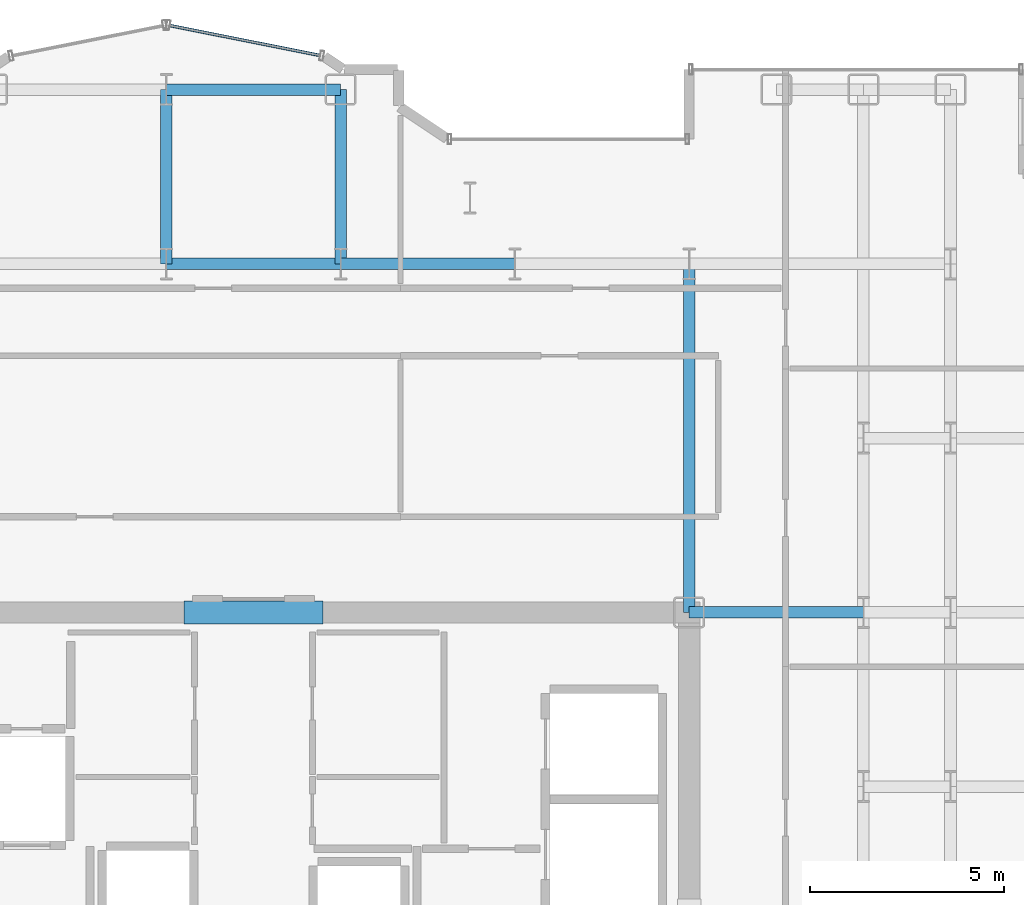
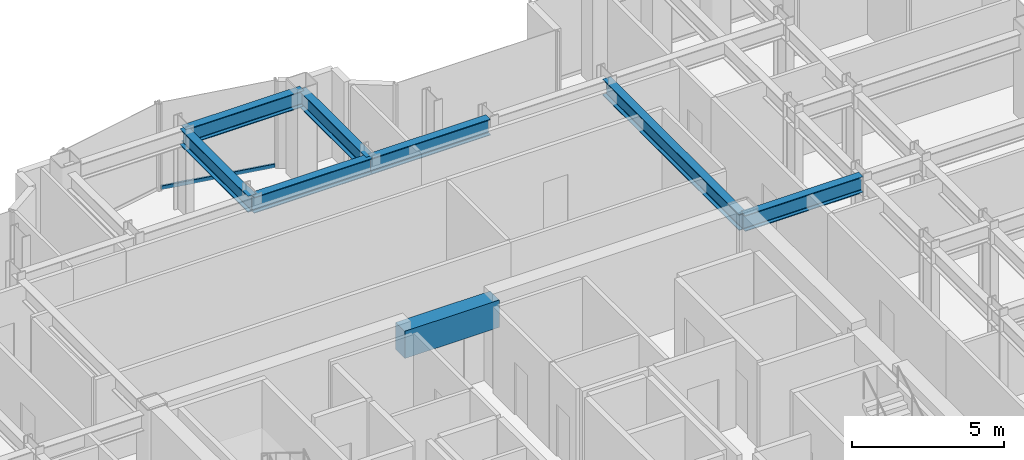
# One storey, part 12 of 23: 8 beams, 1 member, 1 element without a shape of its own.
"""IFC4 building model written with IfcOpenShell, lengths in metres."""

from ifc_helpers import new_model, si_unit, direction, frame, origin, origin_2d, place, context, subcontext, project, spatial, rectangle, hollow_rectangle, i_section, extrude, source, transform, mapped, material, layer, layer_set, material_profile, profile_set, type_object, element, aggregate, save


model = new_model("IFC4")

# Units and contexts
model_context = context("Model", 3, precision=1e-05, world=origin(), true_north=direction((0.0, 1.0)))
body_context = subcontext(model_context, "Body", "Model", "MODEL_VIEW")
ifc_project = project(units=[si_unit("LENGTHUNIT", "METRE"), si_unit("AREAUNIT", "SQUARE_METRE"), si_unit("VOLUMEUNIT", "CUBIC_METRE"), si_unit("PLANEANGLEUNIT", "RADIAN"), si_unit("MASSUNIT", "GRAM", prefix="KILO")], contexts=[model_context])

# Site, building, storey
site_placement = place(None, origin())
site = spatial("IfcSite", under=ifc_project, at=site_placement, CompositionType="ELEMENT")
building_placement = place(site_placement, origin())
building = spatial("IfcBuilding", under=site, at=building_placement, Name="Nefas-Gora Pilgrimage Tower", CompositionType="ELEMENT")
storey_placement = place(building_placement, frame((0.0, 0.0, 198.199951171875)))
storey = spatial("IfcBuildingStorey", under=building, at=storey_placement, Name="L49", CompositionType="ELEMENT", Elevation=198.199951171875)

# Beams
ifc_material_1 = material(Name="Concrete C60/75", Category="concrete")
ifc_material_profile_1 = material_profile(ifc_material_1, rectangle(XDim=0.60009765625, YDim=1.10009765625, at=origin_2d()), Name="RC 600x1100")
ifc_profile_set_1 = profile_set([ifc_material_profile_1], Name="Concrete C60/75")
beam_type_1 = type_object("IfcBeamType", Name="BM-LIN-RC1100", PredefinedType="LINTEL", material=ifc_profile_set_1)
shared_shape_1 = source(origin(), body_context, "Body", "SweptSolid", [
    extrude(rectangle(XDim=0.60009765625, YDim=1.10009765625, at=origin_2d()), origin(), (0.0, 0.0, 1.0), 3.60009765625),
])
beam_1_placement = place(storey_placement, frame((-1.800048828125, 9.0, 2.949951171875), z_axis=(1.0, 0.0, 0.0), x_axis=(0.0, 1.0, 0.0)))
element("IfcBeam", 1, at=beam_1_placement, inside=storey, type_object=beam_type_1, Name="L49 Core Coupling Lintel Beam N", PredefinedType="LINTEL", context=body_context, shape_type="MappedRepresentation", body=[
    mapped(shared_shape_1, transform((0.0, 0.0, 0.0), x_axis=(1.0, 0.0, 0.0), y_axis=(0.0, 1.0, 0.0), z_axis=(0.0, 0.0, 1.0), scale=1.0)),
])
ifc_material_2 = material(Name="Steel S355", Category="steel")
ifc_material_profile_2 = material_profile(ifc_material_2, i_section(OverallWidth=0.300048828125, OverallDepth=0.64990234375, WebThickness=0.01611328125, FlangeThickness=0.031005859375, FilletRadius=0.027099609375, at=origin_2d()), Name="HEB 650")
ifc_profile_set_2 = profile_set([ifc_material_profile_2], Name="Steel S355")
beam_type_2 = type_object("IfcBeamType", Name="BM-GIR-HEB650", PredefinedType="BEAM", material=ifc_profile_set_2)
shared_shape_2 = source(origin(), body_context, "Body", "SweptSolid", [
    extrude(i_section(OverallWidth=0.300048828125, OverallDepth=0.64990234375, WebThickness=0.01611328125, FlangeThickness=0.031005859375, FilletRadius=0.027099609375, at=origin_2d()), origin(), (0.0, 0.0, 1.0), 9.0),
])
beam_2_placement = place(storey_placement, frame((11.25, 9.0, 3.175048828125), z_axis=(0.0, 1.0, 0.0), x_axis=(-1.0, 0.0, 0.0)))
element("IfcBeam", 2, at=beam_2_placement, inside=storey, type_object=beam_type_2, Name="L49 G-03 beam", PredefinedType="BEAM", context=body_context, shape_type="MappedRepresentation", body=[
    mapped(shared_shape_2, transform((0.0, 0.0, 0.0), x_axis=(1.0, 0.0, 0.0), y_axis=(0.0, 1.0, 0.0), z_axis=(0.0, 0.0, 1.0), scale=1.0)),
])
shared_shape_3 = source(origin(), body_context, "Body", "SweptSolid", [
    extrude(i_section(OverallWidth=0.300048828125, OverallDepth=0.64990234375, WebThickness=0.01611328125, FlangeThickness=0.031005859375, FilletRadius=0.027099609375, at=origin_2d()), origin(), (0.0, 0.0, 1.0), 4.5),
])
for number, where, z_axis, x_axis, name in (
    (3, (-2.25, 18.0, 3.175048828125), (0.0, 1.0, 0.0), (-1.0, 0.0, 0.0), "L49 G-03 beam"),
    (4, (-2.25, 18.0, 3.175048828125), (1.0, 0.0, 0.0), (0.0, 1.0, 0.0), "L49 G-03 beam"),
    (5, (-2.25, 22.5, 3.175048828125), (1.0, 0.0, 0.0), (0.0, 1.0, 0.0), "L49 G-03 beam"),
    (6, (2.25, 18.0, 3.175048828125), (0.0, 1.0, 0.0), (-1.0, 0.0, 0.0), "L49 G-03 beam"),
    (7, (2.25, 18.0, 3.175048828125), (1.0, 0.0, 0.0), (0.0, 1.0, 0.0), "L49 G-03 beam"),
    (8, (11.25, 9.0, 3.175048828125), (1.0, 0.0, 0.0), (0.0, 1.0, 0.0), "L49 G-03 beam"),
):
    element("IfcBeam", number, at=place(storey_placement, frame(where, z_axis=z_axis, x_axis=x_axis)), inside=storey, type_object=beam_type_2, Name=name, PredefinedType="BEAM", context=body_context, shape_type="MappedRepresentation", body=[
        mapped(shared_shape_3, transform((0.0, 0.0, 0.0), x_axis=(1.0, 0.0, 0.0), y_axis=(0.0, 1.0, 0.0), z_axis=(0.0, 0.0, 1.0), scale=1.0)),
    ])

# Curtain wall, member
ifc_material_3 = material(Name="Dark ceramic-fritted solar-control aluminium-glass curtain wall", Category="aluminium")
ifc_layer = layer(ifc_material_3, 0.219970703125)
ifc_layer_set = layer_set([ifc_layer], Name="Dark ceramic-fritted solar-control aluminium-glass curtain wall")
curtain_wall_type = type_object("IfcCurtainWallType", Name="CW-SYS-5", PredefinedType="NOTDEFINED", material=ifc_layer_set)
curtain_wall_placement = place(storey_placement, origin())
curtain_wall = element("IfcCurtainWall", 9, at=curtain_wall_placement, inside=storey, type_object=curtain_wall_type, Name="L49 Unitised Curtain Wall CW5", PredefinedType="NOTDEFINED")
ifc_material_4 = material(Name="Anodised architectural aluminium", Category="aluminium")
ifc_material_profile_3 = material_profile(ifc_material_4, hollow_rectangle(XDim=0.080078125, YDim=0.159912109375, WallThickness=0.00439453125, InnerFilletRadius=0.00439453125, OuterFilletRadius=0.009033203125, at=origin_2d()), Name="ALU TRANSOM 80x160")
ifc_profile_set_3 = profile_set([ifc_material_profile_3], Name="Anodised architectural aluminium")
member_type = type_object("IfcMemberType", Name="CWM-TRN-5", PredefinedType="USERDEFINED", material=ifc_profile_set_3)
shared_shape_4 = source(origin(), body_context, "Body", "SweptSolid", [
    extrude(hollow_rectangle(XDim=0.080078125, YDim=0.159912109375, WallThickness=0.00439453125, InnerFilletRadius=0.00439453125, OuterFilletRadius=0.009033203125, at=origin_2d()), origin(), (0.0, 0.0, 1.0), 3.95654296875),
])
member_placement = place(storey_placement, frame((1.718994140625, 23.3828125, 0.050048828125), z_axis=(-0.980781880918, 0.195107411605, 0.0), x_axis=(-0.195107411605, -0.980781880918, 0.0)))
member = element("IfcMember", 10, at=member_placement, type_object=member_type, Name="CW5 Spandrel Transom", ObjectType="TRANSOM", PredefinedType="USERDEFINED", context=body_context, shape_type="MappedRepresentation", body=[
    mapped(shared_shape_4, transform((0.0, 0.0, 0.0), x_axis=(1.0, 0.0, 0.0), y_axis=(0.0, 1.0, 0.0), z_axis=(0.0, 0.0, 1.0), scale=1.0)),
])
aggregate(curtain_wall, [member])

save(model, "model.ifc")
